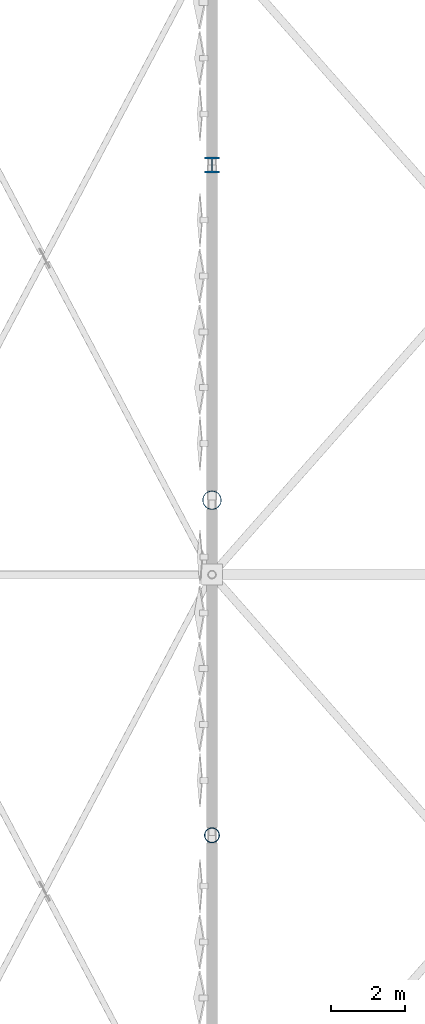
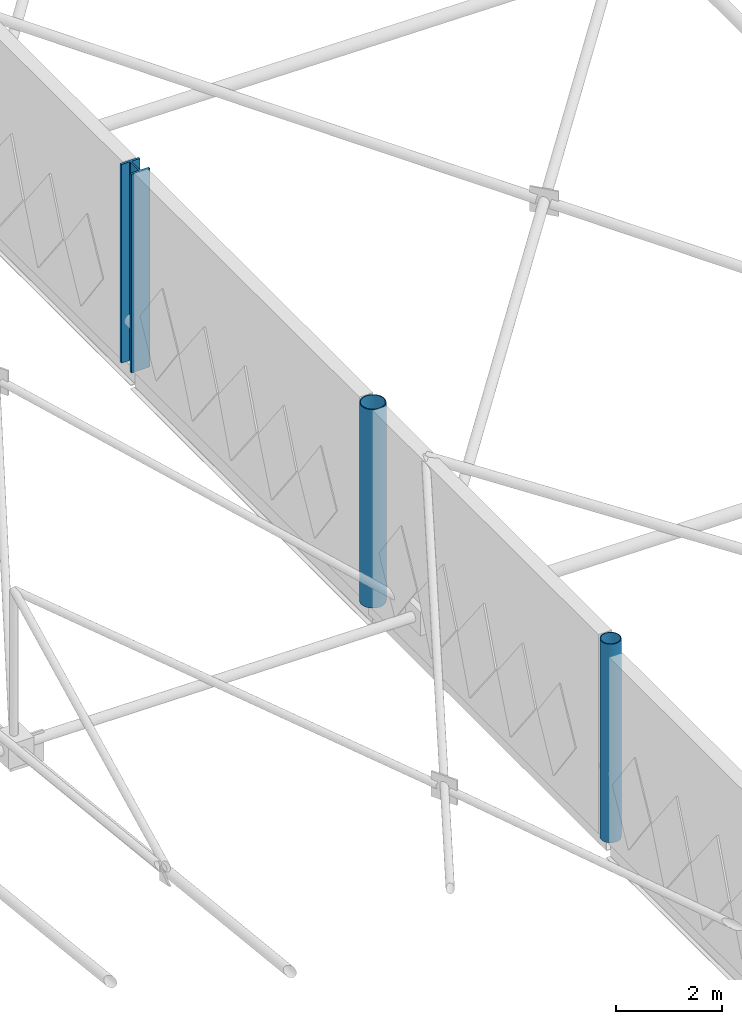
# One storey, part 2 of 224: 3 columns.
"""IFC4 building model written with IfcOpenShell, lengths in metres."""

from ifc_helpers import new_model, si_unit, direction, frame, origin, origin_2d, place, context, subcontext, project, spatial, hollow_circle, i_section, extrude, material, material_profile, profile_set, type_object, element, save


model = new_model("IFC4")

# Units and contexts
model_context = context("Model", 3, precision=1e-05, world=origin(), true_north=direction((0.0, 1.0)))
body_context = subcontext(model_context, "Body", "Model", "MODEL_VIEW")
ifc_project = project(units=[si_unit("LENGTHUNIT", "METRE"), si_unit("AREAUNIT", "SQUARE_METRE"), si_unit("VOLUMEUNIT", "CUBIC_METRE"), si_unit("PLANEANGLEUNIT", "RADIAN"), si_unit("MASSUNIT", "GRAM", prefix="KILO")], contexts=[model_context])

# Site, building, storey
site_placement = place(None, origin())
site = spatial("IfcSite", under=ifc_project, at=site_placement, CompositionType="ELEMENT")
building_placement = place(site_placement, origin())
building = spatial("IfcBuilding", under=site, at=building_placement, Name="Qamarlyn Nura Convention Centre", CompositionType="ELEMENT")
storey_placement = place(building_placement, frame((0.0, 0.0, 10.800048828125)))
storey = spatial("IfcBuildingStorey", under=building, at=storey_placement, Name="L02", CompositionType="ELEMENT", Elevation=10.800048828125)

# Columns
ifc_material_1 = material(Name="Pearl-white PVDF steel ASTM A500 Grade C", Category="steel")
ifc_material_profile_1 = material_profile(ifc_material_1, hollow_circle(Radius=0.25390625, WallThickness=0.02001953125, at=origin_2d()), Name="CHS508X20")
ifc_profile_set_1 = profile_set([ifc_material_profile_1], Name="Pearl-white PVDF steel ASTM A500 Grade C")
column_type_1 = type_object("IfcColumnType", Name="COL-HALL-1", PredefinedType="COLUMN", material=ifc_profile_set_1)
column_1_placement = place(storey_placement, frame((0.0, 54.0, 0.0), z_axis=(0.0, 0.0, 1.0), x_axis=(1.0, 0.0, 0.0)))
element("IfcColumn", 1, at=column_1_placement, inside=storey, type_object=column_type_1, Name="L02 column 1/G", PredefinedType="COLUMN", context=body_context, shape_type="SweptSolid", body=[
    extrude(hollow_circle(Radius=0.25390625, WallThickness=0.02001953125, at=origin_2d()), origin(), (0.0, 0.0, 1.0), 4.58984375),
])
ifc_material_2 = material(Name="Steel ASTM A992", Category="steel")
ifc_material_profile_2 = material_profile(ifc_material_2, i_section(OverallWidth=0.408935546875, OverallDepth=0.425048828125, WebThickness=0.030517578125, FlangeThickness=0.049072265625, FilletRadius=0.02001953125, at=origin_2d()), Name="W360X421")
ifc_profile_set_2 = profile_set([ifc_material_profile_2], Name="Steel ASTM A992")
column_type_2 = type_object("IfcColumnType", Name="COL-MEGA-1", PredefinedType="COLUMN", material=ifc_profile_set_2)
column_2_placement = place(storey_placement, frame((0.0, 63.0, 0.0), z_axis=(0.0, 0.0, 1.0), x_axis=(1.0, 0.0, 0.0)))
element("IfcColumn", 2, at=column_2_placement, inside=storey, type_object=column_type_2, Name="L02 column 1/H", PredefinedType="COLUMN", context=body_context, shape_type="SweptSolid", body=[
    extrude(i_section(OverallWidth=0.408935546875, OverallDepth=0.425048828125, WebThickness=0.030517578125, FlangeThickness=0.049072265625, FilletRadius=0.02001953125, at=origin_2d()), origin(), (0.0, 0.0, 1.0), 4.58984375),
])
ifc_material_profile_3 = material_profile(ifc_material_1, hollow_circle(Radius=0.203125, WallThickness=0.01611328125, at=origin_2d()), Name="CHS406.4X16")
ifc_profile_set_3 = profile_set([ifc_material_profile_3], Name="Pearl-white PVDF steel ASTM A500 Grade C")
column_type_3 = type_object("IfcColumnType", Name="COL-TUBE-1", PredefinedType="COLUMN", material=ifc_profile_set_3)
column_3_placement = place(storey_placement, frame((0.0, 45.0, 0.0), z_axis=(0.0, 0.0, 1.0), x_axis=(1.0, 0.0, 0.0)))
element("IfcColumn", 3, at=column_3_placement, inside=storey, type_object=column_type_3, Name="L02 column 1/F", PredefinedType="COLUMN", context=body_context, shape_type="SweptSolid", body=[
    extrude(hollow_circle(Radius=0.203125, WallThickness=0.01611328125, at=origin_2d()), origin(), (0.0, 0.0, 1.0), 4.58984375),
])

save(model, "model.ifc")
